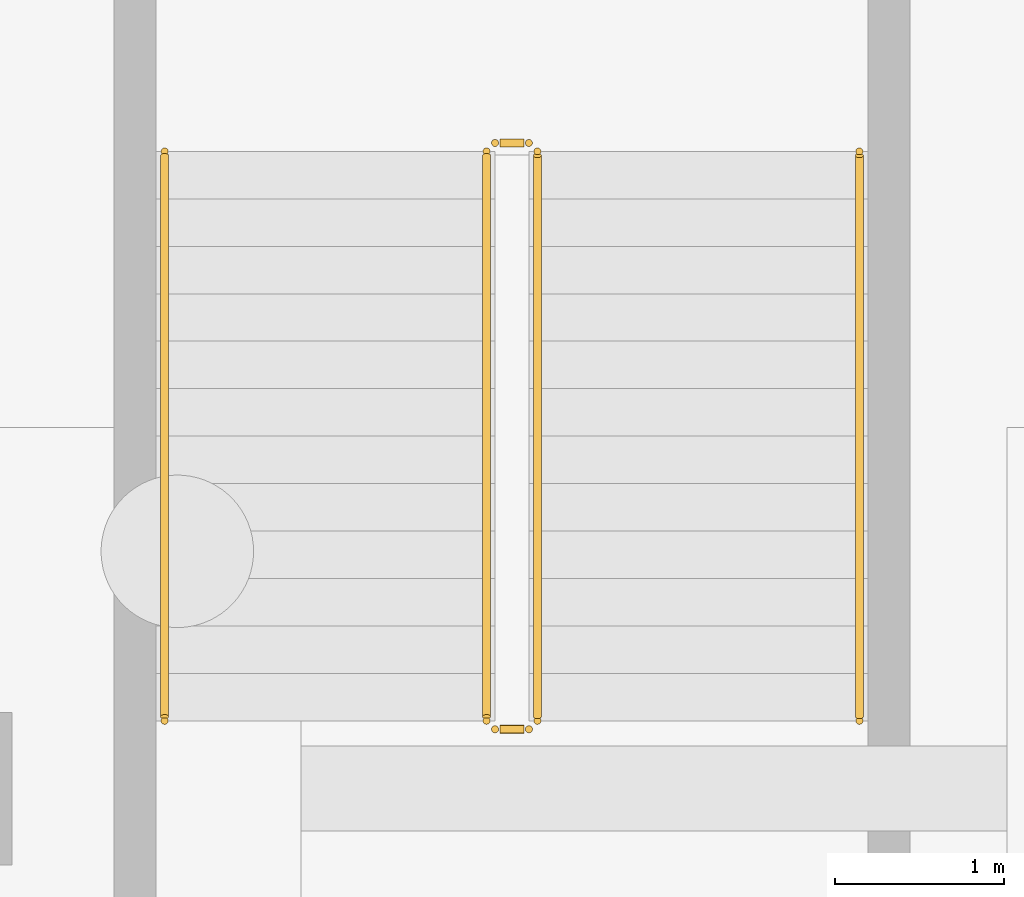
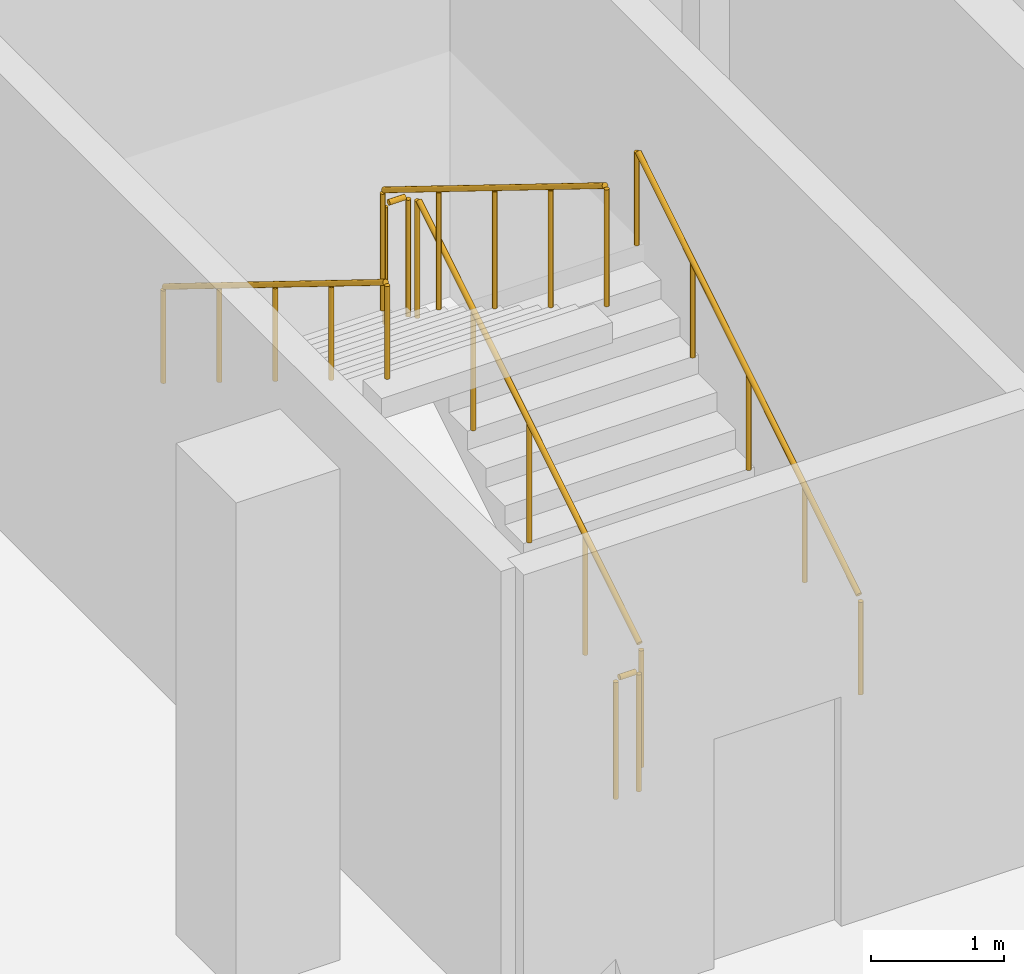
# One storey, part 20 of 22: 6 railings.
"""IFC4 building model written with IfcOpenShell, lengths in metres."""

from ifc_helpers import new_model, si_unit, direction, frame, origin, origin_2d, place, context, subcontext, project, spatial, circle, extrude, material, type_object, element, save


model = new_model("IFC4")

# Units and contexts
model_context = context("Model", 3, precision=1e-05, world=origin(), true_north=direction((0.0, 1.0)))
body_context = subcontext(model_context, "Body", "Model", "MODEL_VIEW")
ifc_project = project(units=[si_unit("LENGTHUNIT", "METRE"), si_unit("AREAUNIT", "SQUARE_METRE"), si_unit("VOLUMEUNIT", "CUBIC_METRE"), si_unit("PLANEANGLEUNIT", "RADIAN"), si_unit("MASSUNIT", "GRAM", prefix="KILO")], contexts=[model_context])

# Site, building, storey
site_placement = place(None, origin())
site = spatial("IfcSite", under=ifc_project, at=site_placement, CompositionType="ELEMENT")
building_placement = place(site_placement, origin())
building = spatial("IfcBuilding", under=site, at=building_placement, Name="Zuvorla Pavilion Media Centre", CompositionType="ELEMENT")
storey_placement = place(building_placement, frame((0.0, 0.0, -4.5)))
storey = spatial("IfcBuildingStorey", under=building, at=storey_placement, Name="B01", CompositionType="ELEMENT", Elevation=-4.5)

# Railings
ifc_material_1 = material(Name="Powder-coated steel balustrade guard", Category="steel")
railing_type_1 = type_object("IfcRailingType", Name="RL-INT-GRD", PredefinedType="BALUSTRADE", material=ifc_material_1)
railing_1_placement = place(storey_placement, frame((103.949951171875, 29.199951171875, 0.173095703125)))
element("IfcRailing", 1, at=railing_1_placement, inside=storey, type_object=railing_type_1, Name="B01 ST-04 stair guard 1", PredefinedType="BALUSTRADE", context=body_context, shape_type="SweptSolid", body=[
    extrude(circle(Radius=0.02392578125, at=origin_2d()), frame((0.0, 0.024658203125, 1.111328125), z_axis=(0.0, 0.850623216509, 0.525775754039), x_axis=(-1.0, 0.0, 0.0)), (0.0, 0.0, 1.0), 3.892578125),
    extrude(circle(Radius=0.02099609375, at=origin_2d()), origin(), (0.0, 0.0, 1.0), 1.070068359375),
    extrude(circle(Radius=0.02099609375, at=origin_2d()), frame((0.0, 0.840087890625, 0.519287109375)), (0.0, 0.0, 1.0), 1.070068359375),
    extrude(circle(Radius=0.02099609375, at=origin_2d()), frame((0.0, 1.68017578125, 1.03857421875)), (0.0, 0.0, 1.0), 1.070068359375),
    extrude(circle(Radius=0.02099609375, at=origin_2d()), frame((0.0, 2.52001953125, 1.5576171875)), (0.0, 0.0, 1.0), 1.070068359375),
    extrude(circle(Radius=0.02099609375, at=origin_2d()), frame((0.0, 3.360107421875, 2.076904296875)), (0.0, 0.0, 1.0), 1.070068359375),
])
railing_2_placement = place(storey_placement, frame((103.89990234375, 32.610107421875, 2.25)))
element("IfcRailing", 2, at=railing_2_placement, inside=storey, type_object=railing_type_1, Name="B01 ST-04 stair guard 2", PredefinedType="BALUSTRADE", context=body_context, shape_type="SweptSolid", body=[
    extrude(circle(Radius=0.02392578125, at=origin_2d()), frame((-0.02880859375, 0.0, 1.09619140625), z_axis=(-1.0, 0.0, 0.0), x_axis=(0.0, -1.0, 0.0)), (0.0, 0.0, 1.0), 0.142333984375),
    extrude(circle(Radius=0.02099609375, at=origin_2d()), origin(), (0.0, 0.0, 1.0), 1.070068359375),
    extrude(circle(Radius=0.02099609375, at=origin_2d()), frame((-0.199951171875, 0.0, 0.0)), (0.0, 0.0, 1.0), 1.070068359375),
])
railing_3_placement = place(storey_placement, frame((103.64990234375, 32.56005859375, 2.423095703125)))
element("IfcRailing", 3, at=railing_3_placement, inside=storey, type_object=railing_type_1, Name="B01 ST-04 stair guard 3", PredefinedType="BALUSTRADE", context=body_context, shape_type="SweptSolid", body=[
    extrude(circle(Radius=0.02392578125, at=origin_2d()), frame((0.0, -0.024658203125, 1.111328125), z_axis=(0.0, -0.850623216509, 0.525775754039), x_axis=(1.0, 0.0, 0.0)), (0.0, 0.0, 1.0), 3.892578125),
    extrude(circle(Radius=0.02099609375, at=origin_2d()), origin(), (0.0, 0.0, 1.0), 1.070068359375),
    extrude(circle(Radius=0.02099609375, at=origin_2d()), frame((0.0, -0.840087890625, 0.519287109375)), (0.0, 0.0, 1.0), 1.070068359375),
    extrude(circle(Radius=0.02099609375, at=origin_2d()), frame((0.0, -1.68017578125, 1.03857421875)), (0.0, 0.0, 1.0), 1.070068359375),
    extrude(circle(Radius=0.02099609375, at=origin_2d()), frame((0.0, -2.52001953125, 1.5576171875)), (0.0, 0.0, 1.0), 1.070068359375),
    extrude(circle(Radius=0.02099609375, at=origin_2d()), frame((0.0, -3.360107421875, 2.076904296875)), (0.0, 0.0, 1.0), 1.070068359375),
])
railing_4_placement = place(storey_placement, frame((103.89990234375, 29.14990234375, 0.0)))
element("IfcRailing", 4, at=railing_4_placement, inside=storey, type_object=railing_type_1, Name="B01 ST-04 stair guard 4", PredefinedType="BALUSTRADE", context=body_context, shape_type="SweptSolid", body=[
    extrude(circle(Radius=0.02392578125, at=origin_2d()), frame((-0.02880859375, 0.0, 1.09619140625), z_axis=(-1.0, 0.0, 0.0), x_axis=(0.0, -1.0, 0.0)), (0.0, 0.0, 1.0), 0.142333984375),
    extrude(circle(Radius=0.02099609375, at=origin_2d()), origin(), (0.0, 0.0, 1.0), 1.070068359375),
    extrude(circle(Radius=0.02099609375, at=origin_2d()), frame((-0.199951171875, 0.0, 0.0)), (0.0, 0.0, 1.0), 1.070068359375),
])
ifc_material_2 = material(Name="Brushed stainless steel tubular handrail", Category="steel")
railing_type_2 = type_object("IfcRailingType", Name="RL-INT-HND", PredefinedType="HANDRAIL", material=ifc_material_2)
railing_5_placement = place(storey_placement, frame((105.85009765625, 29.199951171875, 0.173095703125)))
element("IfcRailing", 5, at=railing_5_placement, inside=storey, type_object=railing_type_2, Name="B01 ST-04 handrail 1", PredefinedType="HANDRAIL", context=body_context, shape_type="SweptSolid", body=[
    extrude(circle(Radius=0.02392578125, at=origin_2d()), frame((0.0, 0.024658203125, 0.89111328125), z_axis=(0.0, 0.850623216509, 0.525775754039), x_axis=(-1.0, 0.0, 0.0)), (0.0, 0.0, 1.0), 3.892578125),
    extrude(circle(Radius=0.02099609375, at=origin_2d()), origin(), (0.0, 0.0, 1.0), 0.849853515625),
    extrude(circle(Radius=0.02099609375, at=origin_2d()), frame((0.0, 0.840087890625, 0.519287109375)), (0.0, 0.0, 1.0), 0.849853515625),
    extrude(circle(Radius=0.02099609375, at=origin_2d()), frame((0.0, 1.68017578125, 1.03857421875)), (0.0, 0.0, 1.0), 0.849853515625),
    extrude(circle(Radius=0.02099609375, at=origin_2d()), frame((0.0, 2.52001953125, 1.5576171875)), (0.0, 0.0, 1.0), 0.849853515625),
    extrude(circle(Radius=0.02099609375, at=origin_2d()), frame((0.0, 3.360107421875, 2.076904296875)), (0.0, 0.0, 1.0), 0.849853515625),
])
railing_6_placement = place(storey_placement, frame((101.75, 32.56005859375, 2.423095703125)))
element("IfcRailing", 6, at=railing_6_placement, inside=storey, type_object=railing_type_2, Name="B01 ST-04 handrail 2", PredefinedType="HANDRAIL", context=body_context, shape_type="SweptSolid", body=[
    extrude(circle(Radius=0.02392578125, at=origin_2d()), frame((0.0, -0.024658203125, 0.89111328125), z_axis=(0.0, -0.850623216509, 0.525775754039), x_axis=(1.0, 0.0, 0.0)), (0.0, 0.0, 1.0), 3.892578125),
    extrude(circle(Radius=0.02099609375, at=origin_2d()), origin(), (0.0, 0.0, 1.0), 0.849853515625),
    extrude(circle(Radius=0.02099609375, at=origin_2d()), frame((0.0, -0.840087890625, 0.519287109375)), (0.0, 0.0, 1.0), 0.849853515625),
    extrude(circle(Radius=0.02099609375, at=origin_2d()), frame((0.0, -1.68017578125, 1.03857421875)), (0.0, 0.0, 1.0), 0.849853515625),
    extrude(circle(Radius=0.02099609375, at=origin_2d()), frame((0.0, -2.52001953125, 1.5576171875)), (0.0, 0.0, 1.0), 0.849853515625),
    extrude(circle(Radius=0.02099609375, at=origin_2d()), frame((0.0, -3.360107421875, 2.076904296875)), (0.0, 0.0, 1.0), 0.849853515625),
])

save(model, "model.ifc")
